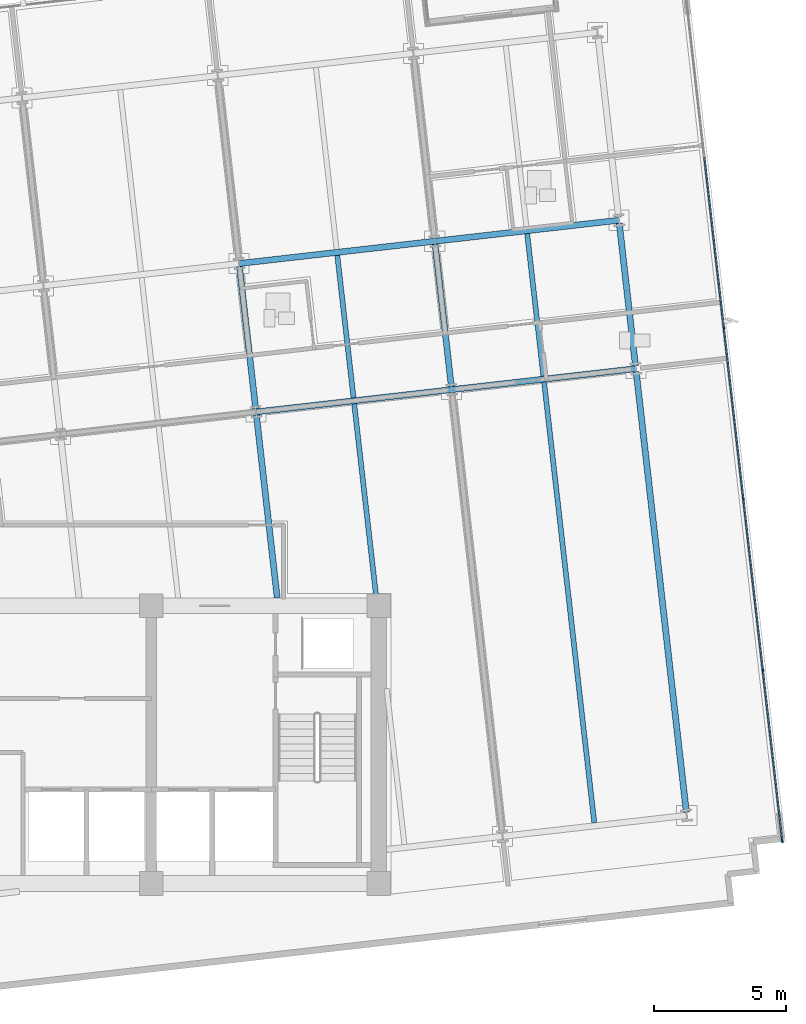
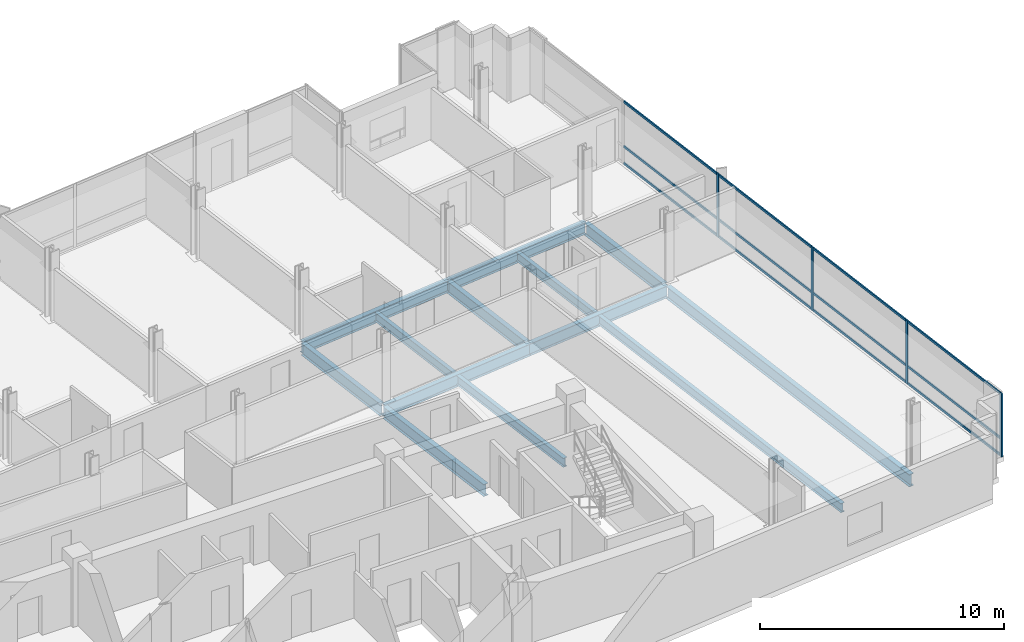
# One storey, part 5 of 16: 16 members, 13 beams, 1 element without a shape of its own.
"""IFC4 building model written with IfcOpenShell, lengths in metres."""

from ifc_helpers import new_model, si_unit, direction, frame, origin, origin_2d, place, context, subcontext, project, spatial, rectangle, i_section, extrude, material, material_profile, profile_set, type_object, element, aggregate, save


model = new_model("IFC4")

# Units and contexts
model_context = context("Model", 3, precision=1e-05, world=origin(), true_north=direction((0.0, 1.0)))
body_context = subcontext(model_context, "Body", "Model", "MODEL_VIEW")
ifc_project = project(units=[si_unit("LENGTHUNIT", "METRE"), si_unit("AREAUNIT", "SQUARE_METRE"), si_unit("VOLUMEUNIT", "CUBIC_METRE"), si_unit("PLANEANGLEUNIT", "RADIAN"), si_unit("MASSUNIT", "GRAM", prefix="KILO")], contexts=[model_context])

# Site, building, storey
site_placement = place(None, origin())
site = spatial("IfcSite", under=ifc_project, at=site_placement, CompositionType="ELEMENT")
building_placement = place(site_placement, origin())
building = spatial("IfcBuilding", under=site, at=building_placement, Name="Solmavex Isthmus Hotel", CompositionType="ELEMENT")
storey_placement = place(building_placement, frame((0.0, 0.0, 219.300048828125)))
storey = spatial("IfcBuildingStorey", under=building, at=storey_placement, Name="L59", CompositionType="ELEMENT", Elevation=219.300048828125)

# Beams
ifc_material_1 = material(Name="Steel ASTM A992 Grade 50", Category="steel")
ifc_material_profile_1 = material_profile(ifc_material_1, i_section(OverallWidth=0.1904296875, OverallDepth=0.456787109375, WebThickness=0.009033203125, FlangeThickness=0.014404296875, FilletRadius=0.0126953125, at=origin_2d()), Name="W18X50")
ifc_profile_set_1 = profile_set([ifc_material_profile_1], Name="Steel ASTM A992 Grade 50")
beam_type_1 = type_object("IfcBeamType", Name="BM-BJ-W18X50", PredefinedType="JOIST", material=ifc_profile_set_1)
beam_1_placement = place(storey_placement, frame((15.908447265625, -2.199951171875, -0.488525390625), z_axis=(-0.113224925382, 0.99356938171, 0.0), x_axis=(-0.99356938171, -0.113224925382, 0.0)))
element("IfcBeam", 1, at=beam_1_placement, inside=storey, type_object=beam_type_1, Name="Secondary Floor Joist L59-J16", PredefinedType="JOIST", context=body_context, shape_type="SweptSolid", body=[
    extrude(i_section(OverallWidth=0.1904296875, OverallDepth=0.456787109375, WebThickness=0.009033203125, FlangeThickness=0.014404296875, FilletRadius=0.0126953125, at=origin_2d()), origin(), (0.0, 0.0, 1.0), 7.38525390625),
])
beam_2_placement = place(storey_placement, frame((15.046630859375, 5.364013671875, -0.488525390625), z_axis=(-0.113189626161, 0.993573403695, 0.0), x_axis=(-0.993573403695, -0.113189626161, 0.0)))
element("IfcBeam", 2, at=beam_2_placement, inside=storey, type_object=beam_type_1, Name="Secondary Floor Joist L59-J17", PredefinedType="JOIST", context=body_context, shape_type="SweptSolid", body=[
    extrude(i_section(OverallWidth=0.1904296875, OverallDepth=0.456787109375, WebThickness=0.009033203125, FlangeThickness=0.014404296875, FilletRadius=0.0126953125, at=origin_2d()), origin(), (0.0, 0.0, 1.0), 5.42041015625),
])
beam_3_placement = place(storey_placement, frame((24.1513671875, -10.707275390625, -0.488525390625), z_axis=(-0.113198426291, 0.993572401129, 0.0), x_axis=(-0.993572401129, -0.113198426291, 0.0)))
element("IfcBeam", 3, at=beam_3_placement, inside=storey, type_object=beam_type_1, Name="Secondary Floor Joist L59-J19", PredefinedType="JOIST", context=body_context, shape_type="SweptSolid", body=[
    extrude(i_section(OverallWidth=0.1904296875, OverallDepth=0.456787109375, WebThickness=0.009033203125, FlangeThickness=0.014404296875, FilletRadius=0.0126953125, at=origin_2d()), origin(), (0.0, 0.0, 1.0), 16.77099609375),
])
beam_4_placement = place(storey_placement, frame((22.22705078125, 6.18212890625, -0.488525390625), z_axis=(-0.113189626161, 0.993573403695, 0.0), x_axis=(-0.993573403695, -0.113189626161, 0.0)))
element("IfcBeam", 4, at=beam_4_placement, inside=storey, type_object=beam_type_1, Name="Secondary Floor Joist L59-J20", PredefinedType="JOIST", context=body_context, shape_type="SweptSolid", body=[
    extrude(i_section(OverallWidth=0.1904296875, OverallDepth=0.456787109375, WebThickness=0.009033203125, FlangeThickness=0.014404296875, FilletRadius=0.0126953125, at=origin_2d()), origin(), (0.0, 0.0, 1.0), 5.42041015625),
])
ifc_material_profile_2 = material_profile(ifc_material_1, i_section(OverallWidth=0.227783203125, OverallDepth=0.602783203125, WebThickness=0.010498046875, FlangeThickness=0.014892578125, FilletRadius=0.01513671875, at=origin_2d()), Name="W24X68")
ifc_profile_set_2 = profile_set([ifc_material_profile_2], Name="Steel ASTM A992 Grade 50")
beam_type_2 = type_object("IfcBeamType", Name="BM-BM-W24X68", PredefinedType="BEAM", material=ifc_profile_set_2)
beam_5_placement = place(storey_placement, frame((11.3603515625, 4.829345703125, -0.561279296875), z_axis=(0.9935703463, 0.113216460607, 0.0), x_axis=(-0.113216460607, 0.9935703463, 0.0)))
element("IfcBeam", 5, at=beam_5_placement, inside=storey, type_object=beam_type_2, Name="Floor Girder L59-UG10", PredefinedType="BEAM", context=body_context, shape_type="SweptSolid", body=[
    extrude(i_section(OverallWidth=0.227783203125, OverallDepth=0.602783203125, WebThickness=0.010498046875, FlangeThickness=0.014892578125, FilletRadius=0.01513671875, at=origin_2d()), origin(), (0.0, 0.0, 1.0), 7.446044921875),
])
beam_6_placement = place(storey_placement, frame((18.758544921875, 5.67236328125, -0.561279296875), z_axis=(0.99357359356, 0.113187959519, 0.0), x_axis=(-0.113187959519, 0.99357359356, 0.0)))
element("IfcBeam", 6, at=beam_6_placement, inside=storey, type_object=beam_type_2, Name="Floor Girder L59-UG11", PredefinedType="BEAM", context=body_context, shape_type="SweptSolid", body=[
    extrude(i_section(OverallWidth=0.227783203125, OverallDepth=0.602783203125, WebThickness=0.010498046875, FlangeThickness=0.014892578125, FilletRadius=0.01513671875, at=origin_2d()), origin(), (0.0, 0.0, 1.0), 7.0078125),
])
beam_7_placement = place(storey_placement, frame((10.720947265625, 10.441162109375, -0.561279296875), z_axis=(0.993574034044, 0.113184092846, 0.0), x_axis=(-0.113184092846, 0.993574034044, 0.0)))
element("IfcBeam", 7, at=beam_7_placement, inside=storey, type_object=beam_type_2, Name="Floor Girder L59-UG16", PredefinedType="BEAM", context=body_context, shape_type="SweptSolid", body=[
    extrude(i_section(OverallWidth=0.227783203125, OverallDepth=0.602783203125, WebThickness=0.010498046875, FlangeThickness=0.014892578125, FilletRadius=0.01513671875, at=origin_2d()), origin(), (0.0, 0.0, 1.0), 7.446044921875),
])
beam_8_placement = place(storey_placement, frame((18.119140625, 11.283935546875, -0.561279296875), z_axis=(0.993569675103, 0.113222350774, 0.0), x_axis=(-0.113222350774, 0.993569675103, 0.0)))
element("IfcBeam", 8, at=beam_8_placement, inside=storey, type_object=beam_type_2, Name="Floor Girder L59-UG17", PredefinedType="BEAM", context=body_context, shape_type="SweptSolid", body=[
    extrude(i_section(OverallWidth=0.227783203125, OverallDepth=0.602783203125, WebThickness=0.010498046875, FlangeThickness=0.014892578125, FilletRadius=0.01513671875, at=origin_2d()), origin(), (0.0, 0.0, 1.0), 7.008056640625),
])
beam_9_placement = place(storey_placement, frame((12.161376953125, -2.199951171875, -0.561279296875), z_axis=(-0.113214229187, 0.993570600566, 0.0), x_axis=(-0.993570600566, -0.113214229187, 0.0)))
element("IfcBeam", 9, at=beam_9_placement, inside=storey, type_object=beam_type_2, Name="Floor Beam L59-VG37", PredefinedType="BEAM", context=body_context, shape_type="SweptSolid", body=[
    extrude(i_section(OverallWidth=0.227783203125, OverallDepth=0.602783203125, WebThickness=0.010498046875, FlangeThickness=0.014892578125, FilletRadius=0.01513671875, at=origin_2d()), origin(), (0.0, 0.0, 1.0), 6.9609375),
])
beam_10_placement = place(storey_placement, frame((11.347412109375, 4.942626953125, -0.561279296875), z_axis=(-0.113194691868, 0.993572826587, 0.0), x_axis=(-0.993572826587, -0.113194691868, 0.0)))
element("IfcBeam", 10, at=beam_10_placement, inside=storey, type_object=beam_type_2, Name="Floor Beam L59-VG38", PredefinedType="BEAM", context=body_context, shape_type="SweptSolid", body=[
    extrude(i_section(OverallWidth=0.227783203125, OverallDepth=0.602783203125, WebThickness=0.010498046875, FlangeThickness=0.014892578125, FilletRadius=0.01513671875, at=origin_2d()), origin(), (0.0, 0.0, 1.0), 5.420166015625),
])
beam_11_placement = place(storey_placement, frame((18.74560546875, 5.785400390625, -0.561279296875), z_axis=(-0.113189626161, 0.993573403695, 0.0), x_axis=(-0.993573403695, -0.113189626161, 0.0)))
element("IfcBeam", 11, at=beam_11_placement, inside=storey, type_object=beam_type_2, Name="Floor Beam L59-VG41", PredefinedType="BEAM", context=body_context, shape_type="SweptSolid", body=[
    extrude(i_section(OverallWidth=0.227783203125, OverallDepth=0.602783203125, WebThickness=0.010498046875, FlangeThickness=0.014892578125, FilletRadius=0.01513671875, at=origin_2d()), origin(), (0.0, 0.0, 1.0), 5.42041015625),
])
ifc_material_profile_3 = material_profile(ifc_material_1, i_section(OverallWidth=0.230224609375, OverallDepth=0.617431640625, WebThickness=0.01318359375, FlangeThickness=0.022216796875, FilletRadius=0.01513671875, at=origin_2d()), Name="W24X94")
ifc_profile_set_3 = profile_set([ifc_material_profile_3], Name="Steel ASTM A992 Grade 50")
beam_type_3 = type_object("IfcBeamType", Name="BM-SP-W24X94", PredefinedType="SPANDREL", material=ifc_profile_set_3)
beam_12_placement = place(storey_placement, frame((27.6328125, -10.310546875, -0.56884765625), z_axis=(-0.113198426291, 0.993572401129, 0.0), x_axis=(-0.993572401129, -0.113198426291, 0.0)))
element("IfcBeam", 12, at=beam_12_placement, inside=storey, type_object=beam_type_3, Name="Floor Beam L59-VG43", PredefinedType="SPANDREL", context=body_context, shape_type="SweptSolid", body=[
    extrude(i_section(OverallWidth=0.230224609375, OverallDepth=0.617431640625, WebThickness=0.01318359375, FlangeThickness=0.022216796875, FilletRadius=0.01513671875, at=origin_2d()), origin(), (0.0, 0.0, 1.0), 16.77099609375),
])
beam_13_placement = place(storey_placement, frame((25.70849609375, 6.578857421875, -0.56884765625), z_axis=(-0.113194691868, 0.993572826587, 0.0), x_axis=(-0.993572826587, -0.113194691868, 0.0)))
element("IfcBeam", 13, at=beam_13_placement, inside=storey, type_object=beam_type_3, Name="Floor Beam L59-VG44", PredefinedType="SPANDREL", context=body_context, shape_type="SweptSolid", body=[
    extrude(i_section(OverallWidth=0.230224609375, OverallDepth=0.617431640625, WebThickness=0.01318359375, FlangeThickness=0.022216796875, FilletRadius=0.01513671875, at=origin_2d()), origin(), (0.0, 0.0, 1.0), 5.420166015625),
])

# Curtain wall, members
ifc_material_2 = material(Name="Aluminium alloy 6063-T6", Category="aluminium")
curtain_wall_type = type_object("IfcCurtainWallType", Name="CW-SYS-06", PredefinedType="NOTDEFINED", material=ifc_material_2)
curtain_wall_placement = place(storey_placement, origin())
curtain_wall = element("IfcCurtainWall", 14, at=curtain_wall_placement, inside=storey, type_object=curtain_wall_type, Name="Stick Curtain Wall CWL-L59-E1", PredefinedType="NOTDEFINED")
ifc_material_profile_4 = material_profile(ifc_material_2, rectangle(XDim=0.06005859375, YDim=0.139892578125, at=origin_2d()), Name="CWM-60X140")
ifc_profile_set_4 = profile_set([ifc_material_profile_4], Name="Aluminium alloy 6063-T6")
member_type_1 = type_object("IfcMemberType", Name="CW-SYS-06-MUL", PredefinedType="MULLION", material=ifc_profile_set_4)
member_1_placement = place(storey_placement, frame((31.2587890625, -11.392333984375, 0.0), z_axis=(0.0, 0.0, 1.0), x_axis=(-0.993571836648, -0.11320338078, 0.0)))
member_1 = element("IfcMember", 15, at=member_1_placement, type_object=member_type_1, Name="CW-06 mullion 1", PredefinedType="MULLION", context=body_context, shape_type="SweptSolid", body=[
    extrude(rectangle(XDim=0.06005859375, YDim=0.139892578125, at=origin_2d()), origin(), (0.0, 0.0, 1.0), 3.18994140625),
])
member_2_placement = place(storey_placement, frame((30.52392578125, -4.944091796875, 0.0), z_axis=(0.0, 0.0, 1.0), x_axis=(-0.993571836648, -0.11320338078, 0.0)))
member_2 = element("IfcMember", 16, at=member_2_placement, type_object=member_type_1, Name="CW-06 mullion 2", PredefinedType="MULLION", context=body_context, shape_type="SweptSolid", body=[
    extrude(rectangle(XDim=0.06005859375, YDim=0.139892578125, at=origin_2d()), origin(), (0.0, 0.0, 1.0), 3.18994140625),
])
member_3_placement = place(storey_placement, frame((29.785888671875, 1.533935546875, 0.0), z_axis=(0.0, 0.0, 1.0), x_axis=(-0.993571836648, -0.11320338078, 0.0)))
member_3 = element("IfcMember", 17, at=member_3_placement, type_object=member_type_1, Name="CW-06 mullion 3", PredefinedType="MULLION", context=body_context, shape_type="SweptSolid", body=[
    extrude(rectangle(XDim=0.06005859375, YDim=0.139892578125, at=origin_2d()), origin(), (0.0, 0.0, 1.0), 3.18994140625),
])
member_4_placement = place(storey_placement, frame((29.0478515625, 8.01220703125, 0.0), z_axis=(0.0, 0.0, 1.0), x_axis=(-0.993571836648, -0.11320338078, 0.0)))
member_4 = element("IfcMember", 18, at=member_4_placement, type_object=member_type_1, Name="CW-06 mullion 4", PredefinedType="MULLION", context=body_context, shape_type="SweptSolid", body=[
    extrude(rectangle(XDim=0.06005859375, YDim=0.139892578125, at=origin_2d()), origin(), (0.0, 0.0, 1.0), 3.18994140625),
])
ifc_material_profile_5 = material_profile(ifc_material_2, rectangle(XDim=0.06005859375, YDim=0.114990234375, at=origin_2d()), Name="CWT-60X115")
ifc_profile_set_5 = profile_set([ifc_material_profile_5], Name="Aluminium alloy 6063-T6")
member_type_2 = type_object("IfcMemberType", Name="CW-SYS-06-TRN", PredefinedType="USERDEFINED", material=ifc_profile_set_5)
member_5_placement = place(storey_placement, frame((31.25537109375, -11.362548828125, 0.057373046875), z_axis=(-0.113223191888, 0.993569579254, 0.0), x_axis=(-0.993569579254, -0.113223191888, 0.0)))
member_5 = element("IfcMember", 19, at=member_5_placement, type_object=member_type_2, Name="CW-06 transom 1.1", ObjectType="TRANSOM", PredefinedType="USERDEFINED", context=body_context, shape_type="SweptSolid", body=[
    extrude(rectangle(XDim=0.06005859375, YDim=0.114990234375, at=origin_2d()), origin(), (0.0, 0.0, 1.0), 6.429931640625),
])
member_6_placement = place(storey_placement, frame((31.25537109375, -11.362548828125, 0.89990234375), z_axis=(-0.113223191888, 0.993569579254, 0.0), x_axis=(-0.993569579254, -0.113223191888, 0.0)))
member_6 = element("IfcMember", 20, at=member_6_placement, type_object=member_type_2, Name="CW-06 transom 1.2", ObjectType="TRANSOM", PredefinedType="USERDEFINED", context=body_context, shape_type="SweptSolid", body=[
    extrude(rectangle(XDim=0.06005859375, YDim=0.114990234375, at=origin_2d()), origin(), (0.0, 0.0, 1.0), 6.429931640625),
])
member_7_placement = place(storey_placement, frame((31.25537109375, -11.362548828125, 3.132568359375), z_axis=(-0.113223191888, 0.993569579254, 0.0), x_axis=(-0.993569579254, -0.113223191888, 0.0)))
member_7 = element("IfcMember", 21, at=member_7_placement, type_object=member_type_2, Name="CW-06 transom 1.3", ObjectType="TRANSOM", PredefinedType="USERDEFINED", context=body_context, shape_type="SweptSolid", body=[
    extrude(rectangle(XDim=0.06005859375, YDim=0.114990234375, at=origin_2d()), origin(), (0.0, 0.0, 1.0), 6.429931640625),
])
member_8_placement = place(storey_placement, frame((30.5205078125, -4.914306640625, 0.057373046875), z_axis=(-0.113189516226, 0.993573416219, 0.0), x_axis=(-0.993573416219, -0.113189516226, 0.0)))
member_8 = element("IfcMember", 22, at=member_8_placement, type_object=member_type_2, Name="CW-06 transom 2.1", ObjectType="TRANSOM", PredefinedType="USERDEFINED", context=body_context, shape_type="SweptSolid", body=[
    extrude(rectangle(XDim=0.06005859375, YDim=0.114990234375, at=origin_2d()), origin(), (0.0, 0.0, 1.0), 6.4599609375),
])
member_9_placement = place(storey_placement, frame((30.5205078125, -4.914306640625, 0.89990234375), z_axis=(-0.113189516226, 0.993573416219, 0.0), x_axis=(-0.993573416219, -0.113189516226, 0.0)))
member_9 = element("IfcMember", 23, at=member_9_placement, type_object=member_type_2, Name="CW-06 transom 2.2", ObjectType="TRANSOM", PredefinedType="USERDEFINED", context=body_context, shape_type="SweptSolid", body=[
    extrude(rectangle(XDim=0.06005859375, YDim=0.114990234375, at=origin_2d()), origin(), (0.0, 0.0, 1.0), 6.4599609375),
])
member_10_placement = place(storey_placement, frame((30.5205078125, -4.914306640625, 3.132568359375), z_axis=(-0.113189516226, 0.993573416219, 0.0), x_axis=(-0.993573416219, -0.113189516226, 0.0)))
member_10 = element("IfcMember", 24, at=member_10_placement, type_object=member_type_2, Name="CW-06 transom 2.3", ObjectType="TRANSOM", PredefinedType="USERDEFINED", context=body_context, shape_type="SweptSolid", body=[
    extrude(rectangle(XDim=0.06005859375, YDim=0.114990234375, at=origin_2d()), origin(), (0.0, 0.0, 1.0), 6.4599609375),
])
member_11_placement = place(storey_placement, frame((29.782470703125, 1.56396484375, 0.057373046875), z_axis=(-0.113189516226, 0.993573416219, 0.0), x_axis=(-0.993573416219, -0.113189516226, 0.0)))
member_11 = element("IfcMember", 25, at=member_11_placement, type_object=member_type_2, Name="CW-06 transom 3.1", ObjectType="TRANSOM", PredefinedType="USERDEFINED", context=body_context, shape_type="SweptSolid", body=[
    extrude(rectangle(XDim=0.06005859375, YDim=0.114990234375, at=origin_2d()), origin(), (0.0, 0.0, 1.0), 6.4599609375),
])
member_12_placement = place(storey_placement, frame((29.782470703125, 1.56396484375, 0.89990234375), z_axis=(-0.113189516226, 0.993573416219, 0.0), x_axis=(-0.993573416219, -0.113189516226, 0.0)))
member_12 = element("IfcMember", 26, at=member_12_placement, type_object=member_type_2, Name="CW-06 transom 3.2", ObjectType="TRANSOM", PredefinedType="USERDEFINED", context=body_context, shape_type="SweptSolid", body=[
    extrude(rectangle(XDim=0.06005859375, YDim=0.114990234375, at=origin_2d()), origin(), (0.0, 0.0, 1.0), 6.4599609375),
])
member_13_placement = place(storey_placement, frame((29.782470703125, 1.56396484375, 3.132568359375), z_axis=(-0.113189516226, 0.993573416219, 0.0), x_axis=(-0.993573416219, -0.113189516226, 0.0)))
member_13 = element("IfcMember", 27, at=member_13_placement, type_object=member_type_2, Name="CW-06 transom 3.3", ObjectType="TRANSOM", PredefinedType="USERDEFINED", context=body_context, shape_type="SweptSolid", body=[
    extrude(rectangle(XDim=0.06005859375, YDim=0.114990234375, at=origin_2d()), origin(), (0.0, 0.0, 1.0), 6.4599609375),
])
member_14_placement = place(storey_placement, frame((29.04443359375, 8.0419921875, 0.057373046875), z_axis=(-0.113189516226, 0.993573416219, 0.0), x_axis=(-0.993573416219, -0.113189516226, 0.0)))
member_14 = element("IfcMember", 28, at=member_14_placement, type_object=member_type_2, Name="CW-06 transom 4.1", ObjectType="TRANSOM", PredefinedType="USERDEFINED", context=body_context, shape_type="SweptSolid", body=[
    extrude(rectangle(XDim=0.06005859375, YDim=0.114990234375, at=origin_2d()), origin(), (0.0, 0.0, 1.0), 6.4599609375),
])
member_15_placement = place(storey_placement, frame((29.04443359375, 8.0419921875, 0.89990234375), z_axis=(-0.113189516226, 0.993573416219, 0.0), x_axis=(-0.993573416219, -0.113189516226, 0.0)))
member_15 = element("IfcMember", 29, at=member_15_placement, type_object=member_type_2, Name="CW-06 transom 4.2", ObjectType="TRANSOM", PredefinedType="USERDEFINED", context=body_context, shape_type="SweptSolid", body=[
    extrude(rectangle(XDim=0.06005859375, YDim=0.114990234375, at=origin_2d()), origin(), (0.0, 0.0, 1.0), 6.4599609375),
])
member_16_placement = place(storey_placement, frame((29.04443359375, 8.0419921875, 3.132568359375), z_axis=(-0.113189516226, 0.993573416219, 0.0), x_axis=(-0.993573416219, -0.113189516226, 0.0)))
member_16 = element("IfcMember", 30, at=member_16_placement, type_object=member_type_2, Name="CW-06 transom 4.3", ObjectType="TRANSOM", PredefinedType="USERDEFINED", context=body_context, shape_type="SweptSolid", body=[
    extrude(rectangle(XDim=0.06005859375, YDim=0.114990234375, at=origin_2d()), origin(), (0.0, 0.0, 1.0), 6.4599609375),
])
aggregate(curtain_wall, [member_1, member_2, member_3, member_4, member_5, member_6, member_7, member_8, member_9, member_10, member_11, member_12, member_13, member_14, member_15, member_16])

save(model, "model.ifc")
